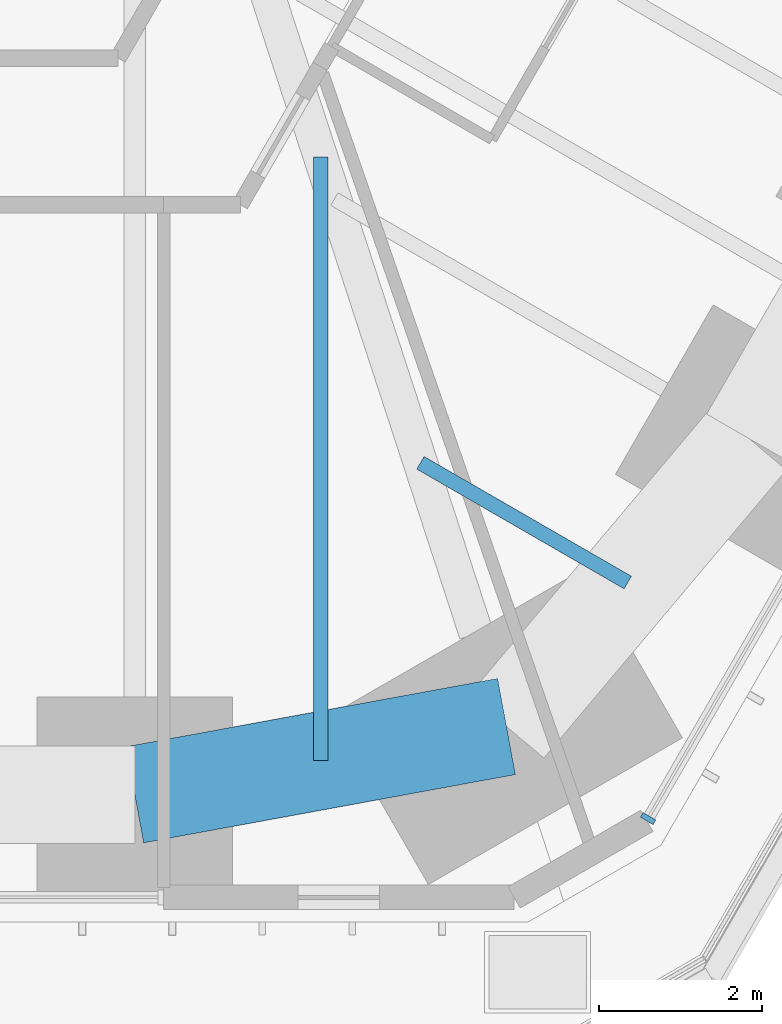
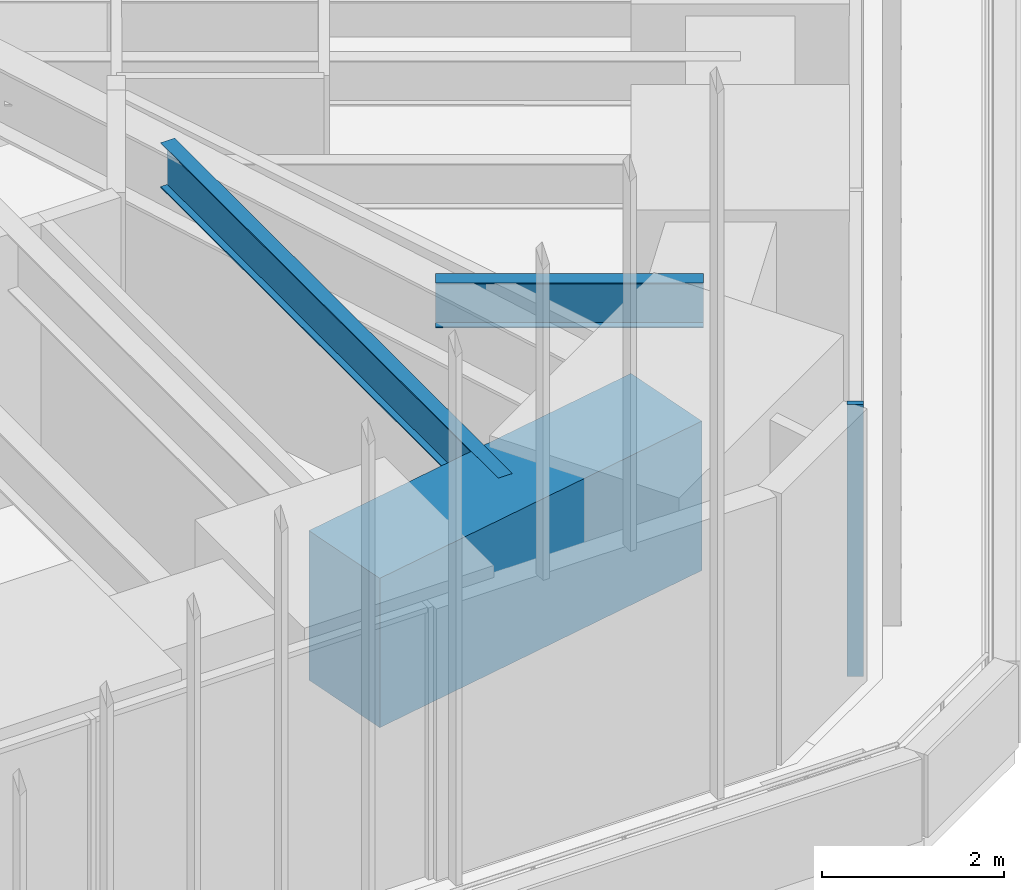
# One storey, part 67 of 238: 3 beams, 1 member, 1 element without a shape of its own.
"""IFC4 building model written with IfcOpenShell, lengths in metres."""

from ifc_helpers import new_model, si_unit, direction, frame, origin, origin_2d, place, context, subcontext, project, spatial, rectangle, i_section, extrude, material, material_profile, profile_set, type_object, element, aggregate, save


model = new_model("IFC4")

# Units and contexts
model_context = context("Model", 3, precision=1e-05, world=origin(), true_north=direction((0.0, 1.0)))
body_context = subcontext(model_context, "Body", "Model", "MODEL_VIEW")
ifc_project = project(units=[si_unit("LENGTHUNIT", "METRE"), si_unit("AREAUNIT", "SQUARE_METRE"), si_unit("VOLUMEUNIT", "CUBIC_METRE"), si_unit("PLANEANGLEUNIT", "RADIAN"), si_unit("MASSUNIT", "GRAM", prefix="KILO")], contexts=[model_context])

# Site, building, storey
site_placement = place(None, origin())
site = spatial("IfcSite", under=ifc_project, at=site_placement, CompositionType="ELEMENT")
building_placement = place(site_placement, origin())
building = spatial("IfcBuilding", under=site, at=building_placement, Name="Sandreach Pilgrim Tower", CompositionType="ELEMENT")
storey_placement = place(building_placement, frame((0.0, 0.0, 96.800048828125)))
storey = spatial("IfcBuildingStorey", under=building, at=storey_placement, Name="L23", CompositionType="ELEMENT", Elevation=96.800048828125)

# Curtain wall, member
ifc_material_1 = material(Name="Aluminium framed curtain wall", Category="aluminium")
curtain_wall_type = type_object("IfcCurtainWallType", Name="Hotel tower curtain wall", PredefinedType="NOTDEFINED", material=ifc_material_1)
curtain_wall_placement = place(storey_placement, origin())
curtain_wall = element("IfcCurtainWall", 1, at=curtain_wall_placement, inside=storey, type_object=curtain_wall_type, Name="CW-2 L23 SE", PredefinedType="NOTDEFINED")
ifc_material_2 = material(Name="Aluminium extrusion", Category="aluminium")
ifc_material_profile_1 = material_profile(ifc_material_2, rectangle(XDim=0.06494140625, YDim=0.179931640625, at=origin_2d()), Name="CW-2M 65X180")
ifc_profile_set_1 = profile_set([ifc_material_profile_1], Name="Aluminium extrusion")
member_type = type_object("IfcMemberType", Name="CW-2 mullion", PredefinedType="MULLION", material=ifc_profile_set_1)
member_placement = place(storey_placement, frame((10.255859375, -27.22412109375, 0.0), z_axis=(0.0, 0.0, 1.0), x_axis=(-0.5, -0.866025403784, 0.0)))
member = element("IfcMember", 2, at=member_placement, type_object=member_type, Name="CW-2 mullion 10", PredefinedType="MULLION", context=body_context, shape_type="SweptSolid", body=[
    extrude(rectangle(XDim=0.06494140625, YDim=0.179931640625, at=origin_2d()), origin(), (0.0, 0.0, 1.0), 3.639892578125),
])
aggregate(curtain_wall, [member])

# Beams
ifc_material_3 = material(Name="Steel ASTM A992 Grade 50", Category="steel")
ifc_material_profile_2 = material_profile(ifc_material_3, i_section(OverallWidth=0.1787109375, OverallDepth=0.60205078125, WebThickness=0.010986328125, FlangeThickness=0.014892578125, at=origin_2d()), Name="W24X62")
ifc_profile_set_2 = profile_set([ifc_material_profile_2], Name="Steel ASTM A992 Grade 50")
beam_type_1 = type_object("IfcBeamType", Name="Floor beam W24X62", PredefinedType="BEAM", material=ifc_profile_set_2)
beam_1_placement = place(storey_placement, frame((10.006103515625, -24.326904296875, 3.3388671875), z_axis=(-0.866015396618, 0.500017332519, 0.0), x_axis=(-0.500017332519, -0.866015396618, 0.0)))
element("IfcBeam", 3, at=beam_1_placement, inside=storey, type_object=beam_type_1, Name="BM L23 FM21", PredefinedType="BEAM", context=body_context, shape_type="SweptSolid", body=[
    extrude(i_section(OverallWidth=0.1787109375, OverallDepth=0.60205078125, WebThickness=0.010986328125, FlangeThickness=0.014892578125, at=origin_2d()), origin(), (0.0, 0.0, 1.0), 2.9384765625),
])
beam_2_placement = place(storey_placement, frame((6.236572265625, -26.51318359375, 3.3388671875), z_axis=(0.0, 1.0, 0.0), x_axis=(-1.0, 0.0, 0.0)))
element("IfcBeam", 4, at=beam_2_placement, inside=storey, type_object=beam_type_1, Name="BM L23 FM22", PredefinedType="BEAM", context=body_context, shape_type="SweptSolid", body=[
    extrude(i_section(OverallWidth=0.1787109375, OverallDepth=0.60205078125, WebThickness=0.010986328125, FlangeThickness=0.014892578125, at=origin_2d()), origin(), (0.0, 0.0, 1.0), 7.40771484375),
])
ifc_material_4 = material(Name="Concrete 10000 psi", Category="concrete")
ifc_material_profile_3 = material_profile(ifc_material_4, rectangle(XDim=1.199951171875, YDim=2.0, at=origin_2d()), Name="RC1200X2000")
ifc_profile_set_3 = profile_set([ifc_material_profile_3], Name="Concrete 10000 psi")
beam_type_2 = type_object("IfcBeamType", Name="Spandrel beam RC1200X2000", PredefinedType="SPANDREL", material=ifc_profile_set_3)
beam_3_placement = place(storey_placement, frame((8.517822265625, -26.09423828125, 2.639892578125), z_axis=(-0.983551746136, -0.180626583516, 0.0), x_axis=(0.180626583516, -0.983551746136, 0.0)))
element("IfcBeam", 5, at=beam_3_placement, inside=storey, type_object=beam_type_2, Name="BM L23 SP22", PredefinedType="SPANDREL", context=body_context, shape_type="SweptSolid", body=[
    extrude(rectangle(XDim=1.199951171875, YDim=2.0, at=origin_2d()), origin(), (0.0, 0.0, 1.0), 4.638916015625),
])

save(model, "model.ifc")
